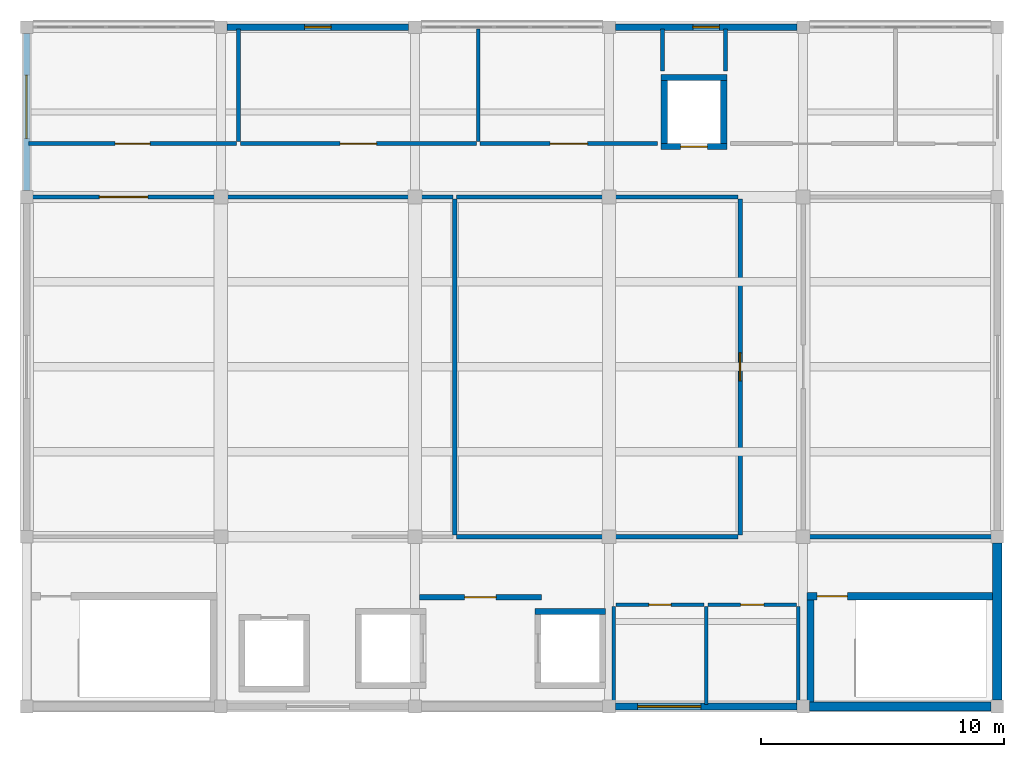
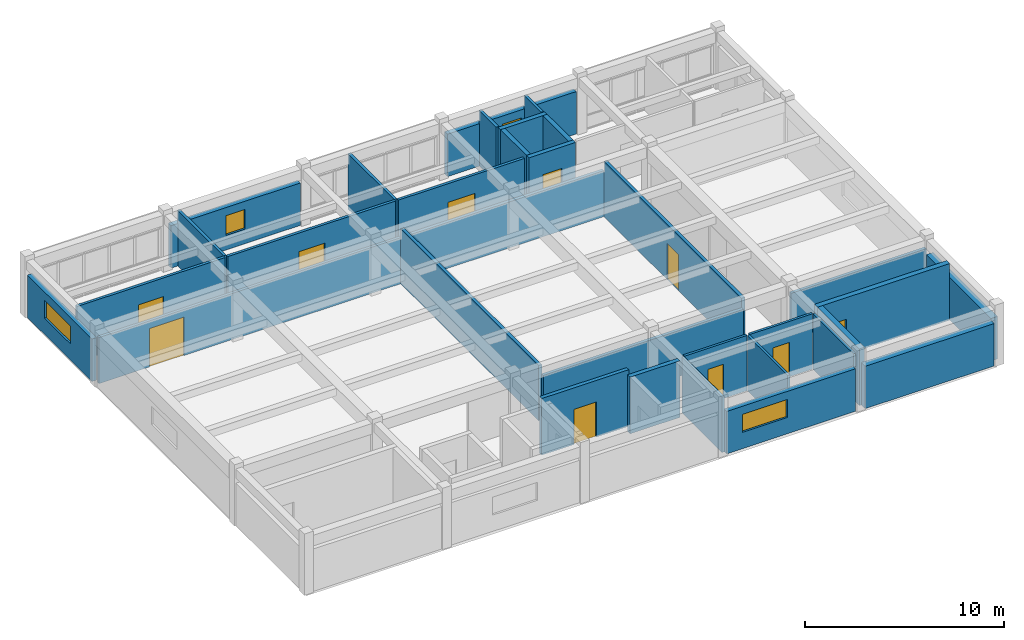
# One storey, part 5 of 7: 32 walls, 10 doors, 4 windows, 14 openings.
"""IFC4 building model written with IfcOpenShell, lengths in metres."""

from ifc_helpers import new_model, si_unit, direction, frame, frame_2d, origin, place, context, subcontext, project, spatial, rectangle, extrude, material, layer, layer_set, type_object, element, fill, save


model = new_model("IFC4")

# Units and contexts
model_context = context("Model", 3, precision=1e-05, world=origin(), true_north=direction((0.0, 1.0)))
body_context = subcontext(model_context, "Body", "Model", "MODEL_VIEW")
ifc_project = project(units=[si_unit("LENGTHUNIT", "METRE"), si_unit("AREAUNIT", "SQUARE_METRE"), si_unit("VOLUMEUNIT", "CUBIC_METRE"), si_unit("PLANEANGLEUNIT", "RADIAN"), si_unit("MASSUNIT", "GRAM", prefix="KILO")], contexts=[model_context])

# Site, building, storey
site_placement = place(None, origin())
site = spatial("IfcSite", under=ifc_project, at=site_placement, CompositionType="ELEMENT")
building_placement = place(site_placement, origin())
building = spatial("IfcBuilding", under=site, at=building_placement, Name="Naurynzar Civic Courthouse", CompositionType="ELEMENT")
storey_placement = place(building_placement, frame((0.0, 0.0, 37.050048828125)))
storey = spatial("IfcBuildingStorey", under=building, at=storey_placement, Name="L10", CompositionType="ELEMENT", Elevation=37.050048828125)

# Wall, opening, door
ifc_material_1 = material(Name="Acoustic Double-Stud Gypsum Partition")
ifc_layer_1 = layer(ifc_material_1, 0.155029296875)
ifc_layer_set_1 = layer_set([ifc_layer_1], Name="WL-ACOUSTIC-155")
wall_type_1 = type_object("IfcWallType", Name="WL-ACOUSTIC-155", PredefinedType="PARTITIONING", material=ifc_layer_set_1)
wall_1_placement = place(storey_placement, frame((69.080078125, 65.0, 0.0), z_axis=(0.0, 0.0, 1.0), x_axis=(1.0, 0.0, 0.0)))
wall_1 = element("IfcWall", 1, at=wall_1_placement, inside=storey, type_object=wall_type_1, Name="V2 interior partition L10.841", PredefinedType="PARTITIONING", context=body_context, shape_type="SweptSolid", body=[
    extrude(rectangle(XDim=17.47998046875, YDim=0.155029296875, at=frame_2d((8.739990234375, 0.0))), origin(), (0.0, 0.0, 1.0), 2.820068359375),
])
opening_1_placement = place(wall_1_placement, frame((2.916015625, 0.0, 0.0)))
opening_1 = element("IfcOpeningElement", 2, at=opening_1_placement, cuts=wall_1, Name="Opening D-211", PredefinedType="OPENING", context=body_context, shape_type="SweptSolid", body=[
    extrude(rectangle(XDim=2.0, YDim=2.35009765625, at=frame_2d((1.0, 1.175048828125))), frame((0.0, 0.08740234375, 0.0), z_axis=(0.0, -1.0, 0.0), x_axis=(1.0, 0.0, 0.0)), (0.0, 0.0, 1.0), 0.175048828125),
])
ifc_material_2 = material(Name="Acoustic Oak Timber Grade A", Category="wood")
door_type_1 = type_object("IfcDoorType", Name="DR-COURT-DBL-2000x2350", OperationType="DOUBLE_DOOR_SINGLE_SWING", PredefinedType="DOOR", material=ifc_material_2)
door_1_placement = place(opening_1_placement, origin())
door_1 = element("IfcDoor", 3, at=door_1_placement, inside=storey, type_object=door_type_1, Name="Interior door D-211 (Judicial Council Plenary Hall)", OperationType="DOUBLE_DOOR_SINGLE_SWING", OverallHeight=2.35009765625, OverallWidth=2.0, PredefinedType="DOOR", context=body_context, shape_type="SweptSolid", body=[
    extrude(rectangle(XDim=2.0, YDim=2.35009765625, at=frame_2d((1.0, 1.175048828125))), frame((0.0, 0.02490234375, 0.0), z_axis=(0.0, -1.0, 0.0), x_axis=(1.0, 0.0, 0.0)), (0.0, 0.0, 1.0), 0.050048828125),
])
fill(opening_1, door_1)

# Wall
ifc_material_3 = material(Name="Acoustic Double-Stud Gypsum Partition")
ifc_layer_2 = layer(ifc_material_3, 0.169921875)
ifc_layer_set_2 = layer_set([ifc_layer_2], Name="WL-ACOUSTIC-170")
wall_type_2 = type_object("IfcWallType", Name="WL-ACOUSTIC-170", PredefinedType="PARTITIONING", material=ifc_layer_set_2)
wall_2_placement = place(storey_placement, frame((101.080078125, 51.0, 0.0), z_axis=(0.0, 0.0, 1.0), x_axis=(1.0, 0.0, 0.0)))
element("IfcWall", 4, at=wall_2_placement, inside=storey, type_object=wall_type_2, Name="V2 interior partition L10.840", PredefinedType="PARTITIONING", context=body_context, shape_type="SweptSolid", body=[
    extrude(rectangle(XDim=7.83984375, YDim=0.169921875, at=frame_2d((3.919921875, 0.0))), origin(), (0.0, 0.0, 1.0), 2.820068359375),
])

# Wall, opening, door
ifc_material_4 = material(Name="Concrete C40/50", Category="concrete")
ifc_layer_3 = layer(ifc_material_4, 0.300048828125)
ifc_layer_set_3 = layer_set([ifc_layer_3], Name="WL-CORE-300")
wall_type_3 = type_object("IfcWallType", Name="WL-CORE-300", PredefinedType="SHEAR", material=ifc_layer_set_3)
wall_3_placement = place(storey_placement, frame((108.804931640625, 48.550048828125, 0.0), z_axis=(0.0, 0.0, 1.0), x_axis=(-1.0, 0.0, 0.0)))
wall_3 = element("IfcWall", 5, at=wall_3_placement, inside=storey, type_object=wall_type_3, Name="Stair ST-V2B enclosure wall north L10", PredefinedType="SHEAR", context=body_context, shape_type="SweptSolid", body=[
    extrude(rectangle(XDim=7.655029296875, YDim=0.300048828125, at=frame_2d((3.82763671875, 0.0))), origin(), (0.0, 0.0, 1.0), 3.469970703125),
])
opening_2_placement = place(wall_3_placement, frame((5.97998046875, 0.0, 0.0)))
opening_2 = element("IfcOpeningElement", 6, at=opening_2_placement, cuts=wall_3, Name="Opening SD-044", PredefinedType="OPENING", context=body_context, shape_type="SweptSolid", body=[
    extrude(rectangle(XDim=1.25, YDim=2.14990234375, at=frame_2d((0.625, 1.074951171875))), frame((0.0, 0.159912109375, 0.0), z_axis=(0.0, -1.0, 0.0), x_axis=(1.0, 0.0, 0.0)), (0.0, 0.0, 1.0), 0.320068359375),
])
ifc_material_5 = material(Name="Powder-Coated Galvanised Steel", Category="steel")
door_type_2 = type_object("IfcDoorType", Name="DR-STAIR-1250x2150", OperationType="NOTDEFINED", PredefinedType="DOOR", material=ifc_material_5)
door_2_placement = place(opening_2_placement, origin())
door_2 = element("IfcDoor", 7, at=door_2_placement, inside=storey, type_object=door_type_2, Name="Stair ST-V2B fire door L10", OperationType="SINGLE_SWING_RIGHT", OverallHeight=2.14990234375, OverallWidth=1.25, PredefinedType="DOOR", context=body_context, shape_type="SweptSolid", body=[
    extrude(rectangle(XDim=1.25, YDim=2.14990234375, at=frame_2d((0.625, 1.074951171875))), frame((0.0, 0.02490234375, 0.0), z_axis=(0.0, -1.0, 0.0), x_axis=(1.0, 0.0, 0.0)), (0.0, 0.0, 1.0), 0.050048828125),
])
fill(opening_2, door_2)

# Wall
wall_4_placement = place(storey_placement, frame((101.300048828125, 48.39501953125, 0.0), z_axis=(0.0, 0.0, 1.0), x_axis=(0.0, -1.0, 0.0)))
element("IfcWall", 8, at=wall_4_placement, inside=storey, type_object=wall_type_3, Name="Stair ST-V2B enclosure wall west L10", PredefinedType="SHEAR", context=body_context, shape_type="SweptSolid", body=[
    extrude(rectangle(XDim=4.199951171875, YDim=0.300048828125, at=frame_2d((2.10009765625, 0.0))), origin(), (0.0, 0.0, 1.0), 3.469970703125),
])

# Wall, opening, window
ifc_material_6 = material(Name="Precast concrete C40/50", Category="concrete")
ifc_layer_4 = layer(ifc_material_6, 0.280029296875)
ifc_layer_set_4 = layer_set([ifc_layer_4], Name="WL-EXT-280")
wall_type_4 = type_object("IfcWallType", Name="WL-EXT-280", PredefinedType="SOLIDWALL", material=ifc_layer_set_4)
wall_5_placement = place(storey_placement, frame((69.0, 65.262451171875, 0.0), z_axis=(0.0, 0.0, 1.0), x_axis=(0.0, 1.0, 0.0)))
wall_5 = element("IfcWall", 9, at=wall_5_placement, inside=storey, type_object=wall_type_4, Name="V2 exterior wall west L10.3.1", PredefinedType="SOLIDWALL", context=body_context, shape_type="SweptSolid", body=[
    extrude(rectangle(XDim=6.47509765625, YDim=0.280029296875, at=frame_2d((3.237548828125, 0.0))), origin(), (0.0, 0.0, 1.0), 2.599853515625),
])
opening_3_placement = place(wall_5_placement, frame((2.157958984375, 0.0, 1.0)))
opening_3 = element("IfcOpeningElement", 10, at=opening_3_placement, cuts=wall_5, Name="Opening WN-17", PredefinedType="OPENING", context=body_context, shape_type="SweptSolid", body=[
    extrude(rectangle(XDim=2.60009765625, YDim=1.10009765625, at=frame_2d((1.300048828125, 0.550048828125))), frame((0.0, 0.14990234375, 0.0), z_axis=(0.0, -1.0, 0.0), x_axis=(1.0, 0.0, 0.0)), (0.0, 0.0, 1.0), 0.300048828125),
])
ifc_material_7 = material(Name="Tempered Laminated Low-E Glass", Category="glass")
window_type_1 = type_object("IfcWindowType", Name="WIN-CLER-2600x1100", PartitioningType="DOUBLE_PANEL_VERTICAL", PredefinedType="WINDOW", material=ifc_material_7)
window_1_placement = place(opening_3_placement, origin())
window_1 = element("IfcWindow", 11, at=window_1_placement, inside=storey, type_object=window_type_1, Name="V2 window 133 L10", OverallHeight=1.10009765625, OverallWidth=2.60009765625, PartitioningType="SINGLE_PANEL", PredefinedType="WINDOW", context=body_context, shape_type="SweptSolid", body=[
    extrude(rectangle(XDim=2.60009765625, YDim=1.10009765625, at=frame_2d((1.300048828125, 0.550048828125))), frame((0.0, 0.030029296875, 0.0), z_axis=(0.0, -1.0, 0.0), x_axis=(1.0, 0.0, 0.0)), (0.0, 0.0, 1.0), 0.06005859375),
])
fill(opening_3, window_1)

wall_6_placement = place(storey_placement, frame((77.262451171875, 72.0, 0.0), z_axis=(0.0, 0.0, 1.0), x_axis=(1.0, 0.0, 0.0)))
wall_6 = element("IfcWall", 12, at=wall_6_placement, inside=storey, type_object=wall_type_4, Name="V2 exterior wall north L10.2.1", PredefinedType="SOLIDWALL", context=body_context, shape_type="SweptSolid", body=[
    extrude(rectangle(XDim=7.47509765625, YDim=0.280029296875, at=frame_2d((3.737548828125, 0.0))), origin(), (0.0, 0.0, 1.0), 2.599853515625),
])
opening_4_placement = place(wall_6_placement, frame((3.1875, 0.0, 0.89990234375)))
opening_4 = element("IfcOpeningElement", 13, at=opening_4_placement, cuts=wall_6, Name="Opening WN-15", PredefinedType="OPENING", context=body_context, shape_type="SweptSolid", body=[
    extrude(rectangle(XDim=1.10009765625, YDim=1.199951171875, at=frame_2d((0.550048828125, 0.60009765625))), frame((0.0, 0.14990234375, 0.0), z_axis=(0.0, -1.0, 0.0), x_axis=(1.0, 0.0, 0.0)), (0.0, 0.0, 1.0), 0.300048828125),
])
ifc_material_8 = material(Name="Tempered Laminated Low-E Glass", Category="glass")
window_type_2 = type_object("IfcWindowType", Name="WIN-SEC-1100x1200", PartitioningType="SINGLE_PANEL", PredefinedType="WINDOW", material=ifc_material_8)
window_2_placement = place(opening_4_placement, origin())
window_2 = element("IfcWindow", 14, at=window_2_placement, inside=storey, type_object=window_type_2, Name="V2 window 134 L10", OverallHeight=1.199951171875, OverallWidth=1.10009765625, PartitioningType="SINGLE_PANEL", PredefinedType="WINDOW", context=body_context, shape_type="SweptSolid", body=[
    extrude(rectangle(XDim=1.10009765625, YDim=1.199951171875, at=frame_2d((0.550048828125, 0.60009765625))), frame((0.0, 0.030029296875, 0.0), z_axis=(0.0, -1.0, 0.0), x_axis=(1.0, 0.0, 0.0)), (0.0, 0.0, 1.0), 0.06005859375),
])
fill(opening_4, window_2)

wall_7_placement = place(storey_placement, frame((93.262451171875, 72.0, 0.0), z_axis=(0.0, 0.0, 1.0), x_axis=(1.0, 0.0, 0.0)))
wall_7 = element("IfcWall", 15, at=wall_7_placement, inside=storey, type_object=wall_type_4, Name="V2 exterior wall north L10.4.1", PredefinedType="SOLIDWALL", context=body_context, shape_type="SweptSolid", body=[
    extrude(rectangle(XDim=7.47509765625, YDim=0.280029296875, at=frame_2d((3.737548828125, 0.0))), origin(), (0.0, 0.0, 1.0), 2.599853515625),
])
opening_5_placement = place(wall_7_placement, frame((3.1875, 0.0, 0.89990234375)))
opening_5 = element("IfcOpeningElement", 16, at=opening_5_placement, cuts=wall_7, Name="Opening WN-15", PredefinedType="OPENING", context=body_context, shape_type="SweptSolid", body=[
    extrude(rectangle(XDim=1.10009765625, YDim=1.199951171875, at=frame_2d((0.550048828125, 0.60009765625))), frame((0.0, 0.14990234375, 0.0), z_axis=(0.0, -1.0, 0.0), x_axis=(1.0, 0.0, 0.0)), (0.0, 0.0, 1.0), 0.300048828125),
])
window_3_placement = place(opening_5_placement, origin())
window_3 = element("IfcWindow", 17, at=window_3_placement, inside=storey, type_object=window_type_2, Name="V2 window 135 L10", OverallHeight=1.199951171875, OverallWidth=1.10009765625, PartitioningType="SINGLE_PANEL", PredefinedType="WINDOW", context=body_context, shape_type="SweptSolid", body=[
    extrude(rectangle(XDim=1.10009765625, YDim=1.199951171875, at=frame_2d((0.550048828125, 0.60009765625))), frame((0.0, 0.030029296875, 0.0), z_axis=(0.0, -1.0, 0.0), x_axis=(1.0, 0.0, 0.0)), (0.0, 0.0, 1.0), 0.06005859375),
])
fill(opening_5, window_3)

wall_8_placement = place(storey_placement, frame((100.737548828125, 44.0, 0.0), z_axis=(0.0, 0.0, 1.0), x_axis=(-1.0, 0.0, 0.0)))
wall_8 = element("IfcWall", 18, at=wall_8_placement, inside=storey, type_object=wall_type_4, Name="V2 exterior wall south L10.2.1", PredefinedType="SOLIDWALL", context=body_context, shape_type="SweptSolid", body=[
    extrude(rectangle(XDim=7.47509765625, YDim=0.280029296875, at=frame_2d((3.737548828125, 0.0))), origin(), (0.0, 0.0, 1.0), 2.599853515625),
])
opening_6_placement = place(wall_8_placement, frame((3.95703125, 0.0, 1.0)))
opening_6 = element("IfcOpeningElement", 19, at=opening_6_placement, cuts=wall_8, Name="Opening WN-17", PredefinedType="OPENING", context=body_context, shape_type="SweptSolid", body=[
    extrude(rectangle(XDim=2.60009765625, YDim=1.10009765625, at=frame_2d((1.300048828125, 0.550048828125))), frame((0.0, 0.14990234375, 0.0), z_axis=(0.0, -1.0, 0.0), x_axis=(1.0, 0.0, 0.0)), (0.0, 0.0, 1.0), 0.300048828125),
])
window_4_placement = place(opening_6_placement, origin())
window_4 = element("IfcWindow", 20, at=window_4_placement, inside=storey, type_object=window_type_1, Name="V2 window 138 L10", OverallHeight=1.10009765625, OverallWidth=2.60009765625, PartitioningType="SINGLE_PANEL", PredefinedType="WINDOW", context=body_context, shape_type="SweptSolid", body=[
    extrude(rectangle(XDim=2.60009765625, YDim=1.10009765625, at=frame_2d((1.300048828125, 0.550048828125))), frame((0.0, 0.030029296875, 0.0), z_axis=(0.0, -1.0, 0.0), x_axis=(1.0, 0.0, 0.0)), (0.0, 0.0, 1.0), 0.06005859375),
])
fill(opening_6, window_4)

# Wall, opening, door
ifc_material_9 = material(Name="Concrete C35/45", Category="concrete")
ifc_layer_5 = layer(ifc_material_9, 0.219970703125)
ifc_layer_set_5 = layer_set([ifc_layer_5], Name="WL-FFL-220")
wall_type_5 = type_object("IfcWallType", Name="WL-FFL-220", PredefinedType="SOLIDWALL", material=ifc_layer_set_5)
wall_9_placement = place(storey_placement, frame((85.179931640625, 48.510009765625, 0.0), z_axis=(0.0, 0.0, 1.0), x_axis=(1.0, 0.0, 0.0)))
wall_9 = element("IfcWall", 21, at=wall_9_placement, inside=storey, type_object=wall_type_5, Name="Firefighting lift lobby EI 120 wall CORE-V2 L10 north", PredefinedType="SOLIDWALL", context=body_context, shape_type="SweptSolid", body=[
    extrude(rectangle(XDim=5.0400390625, YDim=0.219970703125, at=frame_2d((2.52001953125, 0.0))), origin(), (0.0, 0.0, 1.0), 3.469970703125),
])
opening_7_placement = place(wall_9_placement, frame((1.8701171875, 0.0, 0.0)))
opening_7 = element("IfcOpeningElement", 22, at=opening_7_placement, cuts=wall_9, Name="Opening FD-11", PredefinedType="OPENING", context=body_context, shape_type="SweptSolid", body=[
    extrude(rectangle(XDim=1.300048828125, YDim=2.14990234375, at=frame_2d((0.64990234375, 1.074951171875))), frame((0.0, 0.119873046875, 0.0), z_axis=(0.0, -1.0, 0.0), x_axis=(1.0, 0.0, 0.0)), (0.0, 0.0, 1.0), 0.239990234375),
])
ifc_material_10 = material(Name="Powder-Coated Galvanised Steel", Category="steel")
door_type_3 = type_object("IfcDoorType", Name="DR-FFL-1300x2150", OperationType="NOTDEFINED", PredefinedType="DOOR", material=ifc_material_10)
door_3_placement = place(opening_7_placement, origin())
door_3 = element("IfcDoor", 23, at=door_3_placement, inside=storey, type_object=door_type_3, Name="Firefighting lift lobby door FD-11", OperationType="SINGLE_SWING_LEFT", OverallHeight=2.14990234375, OverallWidth=1.300048828125, PredefinedType="DOOR", context=body_context, shape_type="SweptSolid", body=[
    extrude(rectangle(XDim=1.300048828125, YDim=2.14990234375, at=frame_2d((0.64990234375, 1.074951171875))), frame((0.0, 0.02490234375, 0.0), z_axis=(0.0, -1.0, 0.0), x_axis=(1.0, 0.0, 0.0)), (0.0, 0.0, 1.0), 0.050048828125),
])
fill(opening_7, door_3)

ifc_material_11 = material(Name="Insulated Metal-Stud Gypsum Partition")
ifc_layer_6 = layer(ifc_material_11, 0.159912109375)
ifc_layer_set_6 = layer_set([ifc_layer_6], Name="WL-PART-CHAMB-160")
wall_type_6 = type_object("IfcWallType", Name="WL-PART-CHAMB-160", PredefinedType="PARTITIONING", material=ifc_layer_set_6)
wall_10_placement = place(storey_placement, frame((69.080078125, 67.199951171875, 0.0), z_axis=(0.0, 0.0, 1.0), x_axis=(1.0, 0.0, 0.0)))
wall_10 = element("IfcWall", 24, at=wall_10_placement, inside=storey, type_object=wall_type_6, Name="V2 interior partition L10.844", PredefinedType="PARTITIONING", context=body_context, shape_type="SweptSolid", body=[
    extrude(rectangle(XDim=8.56982421875, YDim=0.159912109375, at=frame_2d((4.284912109375, 0.0))), origin(), (0.0, 0.0, 1.0), 3.389892578125),
])
opening_8_placement = place(wall_10_placement, frame((3.56005859375, 0.0, 0.0)))
opening_8 = element("IfcOpeningElement", 25, at=opening_8_placement, cuts=wall_10, Name="Opening D-214", PredefinedType="OPENING", context=body_context, shape_type="SweptSolid", body=[
    extrude(rectangle(XDim=1.449951171875, YDim=2.25, at=frame_2d((0.72509765625, 1.125))), frame((0.0, 0.08984375, 0.0), z_axis=(0.0, -1.0, 0.0), x_axis=(1.0, 0.0, 0.0)), (0.0, 0.0, 1.0), 0.179931640625),
])
ifc_material_12 = material(Name="Acoustic Oak Timber Grade A", Category="wood")
door_type_4 = type_object("IfcDoorType", Name="DR-SUITE-1450x2250", OperationType="NOTDEFINED", PredefinedType="DOOR", material=ifc_material_12)
door_4_placement = place(opening_8_placement, origin())
door_4 = element("IfcDoor", 26, at=door_4_placement, inside=storey, type_object=door_type_4, Name="Interior door D-214 (Judges' Chambers L10-1)", OperationType="SINGLE_SWING_RIGHT", OverallHeight=2.25, OverallWidth=1.449951171875, PredefinedType="DOOR", context=body_context, shape_type="SweptSolid", body=[
    extrude(rectangle(XDim=1.449951171875, YDim=2.25, at=frame_2d((0.72509765625, 1.125))), frame((0.0, 0.02490234375, 0.0), z_axis=(0.0, -1.0, 0.0), x_axis=(1.0, 0.0, 0.0)), (0.0, 0.0, 1.0), 0.050048828125),
])
fill(opening_8, door_4)

wall_11_placement = place(storey_placement, frame((77.81005859375, 67.199951171875, 0.0), z_axis=(0.0, 0.0, 1.0), x_axis=(1.0, 0.0, 0.0)))
wall_11 = element("IfcWall", 27, at=wall_11_placement, inside=storey, type_object=wall_type_6, Name="V2 interior partition L10.845", PredefinedType="PARTITIONING", context=body_context, shape_type="SweptSolid", body=[
    extrude(rectangle(XDim=9.719970703125, YDim=0.159912109375, at=frame_2d((4.85986328125, 0.0))), origin(), (0.0, 0.0, 1.0), 3.389892578125),
])
opening_9_placement = place(wall_11_placement, frame((4.110107421875, 0.0, 0.0)))
opening_9 = element("IfcOpeningElement", 28, at=opening_9_placement, cuts=wall_11, Name="Opening D-215", PredefinedType="OPENING", context=body_context, shape_type="SweptSolid", body=[
    extrude(rectangle(XDim=1.5, YDim=2.25, at=frame_2d((0.75, 1.125))), frame((0.0, 0.08984375, 0.0), z_axis=(0.0, -1.0, 0.0), x_axis=(1.0, 0.0, 0.0)), (0.0, 0.0, 1.0), 0.179931640625),
])
ifc_material_13 = material(Name="Acoustic Oak Timber Grade A", Category="wood")
door_type_5 = type_object("IfcDoorType", Name="DR-SUITE-1500x2250", OperationType="NOTDEFINED", PredefinedType="DOOR", material=ifc_material_13)
door_5_placement = place(opening_9_placement, origin())
door_5 = element("IfcDoor", 29, at=door_5_placement, inside=storey, type_object=door_type_5, Name="Interior door D-215 (Judges' Chambers L10-2)", OperationType="SINGLE_SWING_LEFT", OverallHeight=2.25, OverallWidth=1.5, PredefinedType="DOOR", context=body_context, shape_type="SweptSolid", body=[
    extrude(rectangle(XDim=1.5, YDim=2.25, at=frame_2d((0.75, 1.125))), frame((0.0, 0.02490234375, 0.0), z_axis=(0.0, -1.0, 0.0), x_axis=(1.0, 0.0, 0.0)), (0.0, 0.0, 1.0), 0.050048828125),
])
fill(opening_9, door_5)

wall_12_placement = place(storey_placement, frame((87.68994140625, 67.199951171875, 0.0), z_axis=(0.0, 0.0, 1.0), x_axis=(1.0, 0.0, 0.0)))
wall_12 = element("IfcWall", 30, at=wall_12_placement, inside=storey, type_object=wall_type_6, Name="V2 interior partition L10.846", PredefinedType="PARTITIONING", context=body_context, shape_type="SweptSolid", body=[
    extrude(rectangle(XDim=7.31005859375, YDim=0.159912109375, at=frame_2d((3.655029296875, 0.0))), origin(), (0.0, 0.0, 1.0), 3.389892578125),
])
opening_10_placement = place(wall_12_placement, frame((2.8798828125, 0.0, 0.0)))
opening_10 = element("IfcOpeningElement", 31, at=opening_10_placement, cuts=wall_12, Name="Opening D-216", PredefinedType="OPENING", context=body_context, shape_type="SweptSolid", body=[
    extrude(rectangle(XDim=1.550048828125, YDim=2.25, at=frame_2d((0.77490234375, 1.125))), frame((0.0, 0.08984375, 0.0), z_axis=(0.0, -1.0, 0.0), x_axis=(1.0, 0.0, 0.0)), (0.0, 0.0, 1.0), 0.179931640625),
])
ifc_material_14 = material(Name="Acoustic Oak Timber Grade A", Category="wood")
door_type_6 = type_object("IfcDoorType", Name="DR-SUITE-1550x2250", OperationType="DOUBLE_DOOR_SINGLE_SWING", PredefinedType="DOOR", material=ifc_material_14)
door_6_placement = place(opening_10_placement, origin())
door_6 = element("IfcDoor", 32, at=door_6_placement, inside=storey, type_object=door_type_6, Name="Interior door D-216 (Judges' Chambers L10-3)", OperationType="DOUBLE_DOOR_SINGLE_SWING", OverallHeight=2.25, OverallWidth=1.550048828125, PredefinedType="DOOR", context=body_context, shape_type="SweptSolid", body=[
    extrude(rectangle(XDim=1.550048828125, YDim=2.25, at=frame_2d((0.77490234375, 1.125))), frame((0.0, 0.02490234375, 0.0), z_axis=(0.0, -1.0, 0.0), x_axis=(1.0, 0.0, 0.0)), (0.0, 0.0, 1.0), 0.050048828125),
])
fill(opening_10, door_6)

# Walls
for number, where, z_axis, x_axis, name in (
    (33, (77.72998046875, 67.280029296875, 0.0), (0.0, 0.0, 1.0), (0.0, 1.0, 0.0), "V2 interior partition L10.849"),
    (34, (87.610107421875, 67.280029296875, 0.0), (0.0, 0.0, 1.0), (0.0, 1.0, 0.0), "V2 interior partition L10.851"),
):
    element("IfcWall", number, at=place(storey_placement, frame(where, z_axis=z_axis, x_axis=x_axis)), inside=storey, type_object=wall_type_6, Name=name, PredefinedType="PARTITIONING", context=body_context, shape_type="SweptSolid", body=[
        extrude(rectangle(XDim=4.639892578125, YDim=0.159912109375, at=frame_2d((2.31982421875, 0.0))), origin(), (0.0, 0.0, 1.0), 3.389892578125),
    ])
for number, where, z_axis, x_axis, name in (
    (35, (95.199951171875, 70.199951171875, 0.0), (0.0, 0.0, 1.0), (0.0, 1.0, 0.0), "V2 interior partition L10.853"),
    (36, (97.800048828125, 70.199951171875, 0.0), (0.0, 0.0, 1.0), (0.0, 1.0, 0.0), "V2 interior partition L10.855"),
):
    element("IfcWall", number, at=place(storey_placement, frame(where, z_axis=z_axis, x_axis=x_axis)), inside=storey, type_object=wall_type_6, Name=name, PredefinedType="PARTITIONING", context=body_context, shape_type="SweptSolid", body=[
        extrude(rectangle(XDim=1.719970703125, YDim=0.159912109375, at=frame_2d((0.85986328125, 0.0))), origin(), (0.0, 0.0, 1.0), 3.389892578125),
    ])
ifc_material_15 = material(Name="Acoustic Double-Stud Gypsum Partition")
ifc_layer_7 = layer(ifc_material_15, 0.179931640625)
ifc_layer_set_7 = layer_set([ifc_layer_7], Name="WL-PART-JURY-180")
wall_type_7 = type_object("IfcWallType", Name="WL-PART-JURY-180", PredefinedType="PARTITIONING", material=ifc_layer_set_7)
for number, where, z_axis, x_axis, name in (
    (37, (86.719970703125, 51.0, 0.0), (0.0, 0.0, 1.0), (1.0, 0.0, 0.0), "V2 interior partition L10.839"),
    (38, (86.719970703125, 65.0, 0.0), (0.0, 0.0, 1.0), (1.0, 0.0, 0.0), "V2 interior partition L10.842"),
):
    element("IfcWall", number, at=place(storey_placement, frame(where, z_axis=z_axis, x_axis=x_axis)), inside=storey, type_object=wall_type_7, Name=name, PredefinedType="PARTITIONING", context=body_context, shape_type="SweptSolid", body=[
        extrude(rectangle(XDim=11.60009765625, YDim=0.179931640625, at=frame_2d((5.800048828125, 0.0))), origin(), (0.0, 0.0, 1.0), 2.820068359375),
    ])
wall_13_placement = place(storey_placement, frame((86.639892578125, 51.080078125, 0.0), z_axis=(0.0, 0.0, 1.0), x_axis=(0.0, 1.0, 0.0)))
element("IfcWall", 39, at=wall_13_placement, inside=storey, type_object=wall_type_7, Name="V2 interior partition L10.850", PredefinedType="PARTITIONING", context=body_context, shape_type="SweptSolid", body=[
    extrude(rectangle(XDim=13.83984375, YDim=0.179931640625, at=frame_2d((6.919921875, 0.0))), origin(), (0.0, 0.0, 1.0), 3.389892578125),
])

# Wall, opening, door
wall_14_placement = place(storey_placement, frame((98.39990234375, 51.080078125, 0.0), z_axis=(0.0, 0.0, 1.0), x_axis=(0.0, 1.0, 0.0)))
wall_14 = element("IfcWall", 40, at=wall_14_placement, inside=storey, type_object=wall_type_7, Name="V2 interior partition L10.856", PredefinedType="PARTITIONING", context=body_context, shape_type="SweptSolid", body=[
    extrude(rectangle(XDim=13.83984375, YDim=0.179931640625, at=frame_2d((6.919921875, 0.0))), origin(), (0.0, 0.0, 1.0), 3.389892578125),
])
opening_11_placement = place(wall_14_placement, frame((6.344970703125, 0.0, 0.0)))
opening_11 = element("IfcOpeningElement", 41, at=opening_11_placement, cuts=wall_14, Name="Opening D-212", PredefinedType="OPENING", context=body_context, shape_type="SweptSolid", body=[
    extrude(rectangle(XDim=1.14990234375, YDim=2.199951171875, at=frame_2d((0.574951171875, 1.10009765625))), frame((0.0, 0.099853515625, 0.0), z_axis=(0.0, -1.0, 0.0), x_axis=(1.0, 0.0, 0.0)), (0.0, 0.0, 1.0), 0.199951171875),
])
ifc_material_16 = material(Name="Acoustic Oak Timber Grade A", Category="wood")
door_type_7 = type_object("IfcDoorType", Name="DR-JURY-1150x2200", OperationType="NOTDEFINED", PredefinedType="DOOR", material=ifc_material_16)
door_7_placement = place(opening_11_placement, origin())
door_7 = element("IfcDoor", 42, at=door_7_placement, inside=storey, type_object=door_type_7, Name="Interior door D-212 (Judicial Ethics Deliberation Room)", OperationType="SINGLE_SWING_RIGHT", OverallHeight=2.199951171875, OverallWidth=1.14990234375, PredefinedType="DOOR", context=body_context, shape_type="SweptSolid", body=[
    extrude(rectangle(XDim=1.14990234375, YDim=2.199951171875, at=frame_2d((0.574951171875, 1.10009765625))), frame((0.0, 0.02490234375, 0.0), z_axis=(0.0, -1.0, 0.0), x_axis=(1.0, 0.0, 0.0)), (0.0, 0.0, 1.0), 0.050048828125),
])
fill(opening_11, door_7)

ifc_material_17 = material(Name="Moisture-Resistant Plumbing Partition")
ifc_layer_8 = layer(ifc_material_17, 0.139892578125)
ifc_layer_set_8 = layer_set([ifc_layer_8], Name="WL-PART-WC-140")
wall_type_8 = type_object("IfcWallType", Name="WL-PART-WC-140", PredefinedType="PLUMBINGWALL", material=ifc_layer_set_8)
wall_15_placement = place(storey_placement, frame((93.280029296875, 48.199951171875, 0.0), z_axis=(0.0, 0.0, 1.0), x_axis=(1.0, 0.0, 0.0)))
wall_15 = element("IfcWall", 43, at=wall_15_placement, inside=storey, type_object=wall_type_8, Name="V2 interior partition L10.835", PredefinedType="PLUMBINGWALL", context=body_context, shape_type="SweptSolid", body=[
    extrude(rectangle(XDim=3.639892578125, YDim=0.139892578125, at=frame_2d((1.81982421875, 0.0))), origin(), (0.0, 0.0, 1.0), 3.389892578125),
])
opening_12_placement = place(wall_15_placement, frame((1.360107421875, 0.0, 0.0)))
opening_12 = element("IfcOpeningElement", 44, at=opening_12_placement, cuts=wall_15, Name="Opening D-209", PredefinedType="OPENING", context=body_context, shape_type="SweptSolid", body=[
    extrude(rectangle(XDim=0.919921875, YDim=2.10009765625, at=frame_2d((0.4599609375, 1.050048828125))), frame((0.0, 0.079833984375, 0.0), z_axis=(0.0, -1.0, 0.0), x_axis=(1.0, 0.0, 0.0)), (0.0, 0.0, 1.0), 0.159912109375),
])
ifc_material_18 = material(Name="Acoustic Oak Timber Grade A", Category="wood")
door_type_8 = type_object("IfcDoorType", Name="DR-WC-STD-920x2100", OperationType="NOTDEFINED", PredefinedType="DOOR", material=ifc_material_18)
door_8_placement = place(opening_12_placement, origin())
door_8 = element("IfcDoor", 45, at=door_8_placement, inside=storey, type_object=door_type_8, Name="Interior door D-209 (Public WC V2)", OperationType="SINGLE_SWING_LEFT", OverallHeight=2.10009765625, OverallWidth=0.919921875, PredefinedType="DOOR", context=body_context, shape_type="SweptSolid", body=[
    extrude(rectangle(XDim=0.919921875, YDim=2.10009765625, at=frame_2d((0.4599609375, 1.050048828125))), frame((0.0, 0.02490234375, 0.0), z_axis=(0.0, -1.0, 0.0), x_axis=(1.0, 0.0, 0.0)), (0.0, 0.0, 1.0), 0.050048828125),
])
fill(opening_12, door_8)

wall_16_placement = place(storey_placement, frame((97.080078125, 48.199951171875, 0.0), z_axis=(0.0, 0.0, 1.0), x_axis=(1.0, 0.0, 0.0)))
wall_16 = element("IfcWall", 46, at=wall_16_placement, inside=storey, type_object=wall_type_8, Name="V2 interior partition L10.836", PredefinedType="PLUMBINGWALL", context=body_context, shape_type="SweptSolid", body=[
    extrude(rectangle(XDim=3.639892578125, YDim=0.139892578125, at=frame_2d((1.81982421875, 0.0))), origin(), (0.0, 0.0, 1.0), 3.389892578125),
])
opening_13_placement = place(wall_16_placement, frame((1.340087890625, 0.0, 0.0)))
opening_13 = element("IfcOpeningElement", 47, at=opening_13_placement, cuts=wall_16, Name="Opening D-210", PredefinedType="OPENING", context=body_context, shape_type="SweptSolid", body=[
    extrude(rectangle(XDim=0.9599609375, YDim=2.10009765625, at=frame_2d((0.47998046875, 1.050048828125))), frame((0.0, 0.079833984375, 0.0), z_axis=(0.0, -1.0, 0.0), x_axis=(1.0, 0.0, 0.0)), (0.0, 0.0, 1.0), 0.159912109375),
])
ifc_material_19 = material(Name="Acoustic Oak Timber Grade A", Category="wood")
door_type_9 = type_object("IfcDoorType", Name="DR-WC-ACC-960x2100", OperationType="NOTDEFINED", PredefinedType="DOOR", material=ifc_material_19)
door_9_placement = place(opening_13_placement, origin())
door_9 = element("IfcDoor", 48, at=door_9_placement, inside=storey, type_object=door_type_9, Name="Interior door D-210 (Accessible WC V2)", OperationType="SINGLE_SWING_RIGHT", OverallHeight=2.10009765625, OverallWidth=0.9599609375, PredefinedType="DOOR", context=body_context, shape_type="SweptSolid", body=[
    extrude(rectangle(XDim=0.9599609375, YDim=2.10009765625, at=frame_2d((0.47998046875, 1.050048828125))), frame((0.0, 0.02490234375, 0.0), z_axis=(0.0, -1.0, 0.0), x_axis=(1.0, 0.0, 0.0)), (0.0, 0.0, 1.0), 0.050048828125),
])
fill(opening_13, door_9)

# Walls
for number, where, z_axis, x_axis, name in (
    (49, (93.199951171875, 44.080078125, 0.0), (0.0, 0.0, 1.0), (0.0, 1.0, 0.0), "V2 interior partition L10.852"),
    (50, (97.0, 44.080078125, 0.0), (0.0, 0.0, 1.0), (0.0, 1.0, 0.0), "V2 interior partition L10.854"),
    (51, (100.800048828125, 44.080078125, 0.0), (0.0, 0.0, 1.0), (0.0, 1.0, 0.0), "V2 interior partition L10.857"),
):
    element("IfcWall", number, at=place(storey_placement, frame(where, z_axis=z_axis, x_axis=x_axis)), inside=storey, type_object=wall_type_8, Name=name, PredefinedType="PLUMBINGWALL", context=body_context, shape_type="SweptSolid", body=[
        extrude(rectangle(XDim=4.0400390625, YDim=0.139892578125, at=frame_2d((2.02001953125, 0.0))), origin(), (0.0, 0.0, 1.0), 3.389892578125),
    ])
ifc_material_20 = material(Name="Concrete C40/50", Category="concrete")
ifc_layer_9 = layer(ifc_material_20, 0.3798828125)
ifc_layer_set_9 = layer_set([ifc_layer_9], Name="WL-RET-380")
wall_type_9 = type_object("IfcWallType", Name="WL-RET-380", PredefinedType="STANDARD", material=ifc_layer_set_9)
wall_17_placement = place(storey_placement, frame((109.0, 50.737548828125, 0.0), z_axis=(0.0, 0.0, 1.0), x_axis=(0.0, -1.0, 0.0)))
element("IfcWall", 52, at=wall_17_placement, inside=storey, type_object=wall_type_9, Name="V2 exterior wall east L10.3.1", PredefinedType="STANDARD", context=body_context, shape_type="SweptSolid", body=[
    extrude(rectangle(XDim=6.47509765625, YDim=0.3798828125, at=frame_2d((3.237548828125, 0.0))), origin(), (0.0, 0.0, 1.0), 2.599853515625),
])
wall_18_placement = place(storey_placement, frame((108.737548828125, 44.0, 0.0), z_axis=(0.0, 0.0, 1.0), x_axis=(-1.0, 0.0, 0.0)))
element("IfcWall", 53, at=wall_18_placement, inside=storey, type_object=wall_type_9, Name="V2 exterior wall south L10.1.1", PredefinedType="STANDARD", context=body_context, shape_type="SweptSolid", body=[
    extrude(rectangle(XDim=7.47509765625, YDim=0.3798828125, at=frame_2d((3.737548828125, 0.0))), origin(), (0.0, 0.0, 1.0), 2.599853515625),
])
ifc_material_21 = material(Name="Concrete C40/50", Category="concrete")
ifc_layer_10 = layer(ifc_material_21, 0.25)
ifc_layer_set_10 = layer_set([ifc_layer_10], Name="WL-SHAFT-250")
wall_type_10 = type_object("IfcWallType", Name="WL-SHAFT-250", PredefinedType="SHEAR", material=ifc_layer_set_10)
wall_19_placement = place(storey_placement, frame((92.85009765625, 47.925048828125, 0.0), z_axis=(0.0, 0.0, 1.0), x_axis=(-1.0, 0.0, 0.0)))
element("IfcWall", 54, at=wall_19_placement, inside=storey, type_object=wall_type_10, Name="Lift FL-01 shaft wall north L10", PredefinedType="SHEAR", context=body_context, shape_type="SweptSolid", body=[
    extrude(rectangle(XDim=2.900146484375, YDim=0.25, at=frame_2d((1.4501953125, 0.0))), origin(), (0.0, 0.0, 1.0), 3.469970703125),
])

# Wall, opening, door
wall_20_placement = place(storey_placement, frame((95.14990234375, 67.074951171875, 0.0), z_axis=(0.0, 0.0, 1.0), x_axis=(1.0, 0.0, 0.0)))
wall_20 = element("IfcWall", 55, at=wall_20_placement, inside=storey, type_object=wall_type_10, Name="Lift LJ-02 shaft wall south L10", PredefinedType="SHEAR", context=body_context, shape_type="SweptSolid", body=[
    extrude(rectangle(XDim=2.7001953125, YDim=0.25, at=frame_2d((1.35009765625, 0.0))), origin(), (0.0, 0.0, 1.0), 3.469970703125),
])
opening_14_placement = place(wall_20_placement, frame((0.800048828125, 0.0, 0.0)))
opening_14 = element("IfcOpeningElement", 56, at=opening_14_placement, cuts=wall_20, Name="Opening LD-060", PredefinedType="OPENING", context=body_context, shape_type="SweptSolid", body=[
    extrude(rectangle(XDim=1.10009765625, YDim=2.14990234375, at=frame_2d((0.550048828125, 1.074951171875))), frame((0.0, 0.135009765625, 0.0), z_axis=(0.0, -1.0, 0.0), x_axis=(1.0, 0.0, 0.0)), (0.0, 0.0, 1.0), 0.27001953125),
])
ifc_material_22 = material(Name="Brushed Stainless Steel 304", Category="steel")
door_type_10 = type_object("IfcDoorType", Name="DR-LIFT-SLIDE-1100x2150", OperationType="DOUBLE_DOOR_SLIDING", PredefinedType="DOOR", material=ifc_material_22)
door_10_placement = place(opening_14_placement, origin())
door_10 = element("IfcDoor", 57, at=door_10_placement, inside=storey, type_object=door_type_10, Name="Lift LJ-02 sliding landing door L10", OperationType="DOUBLE_DOOR_SLIDING", OverallHeight=2.14990234375, OverallWidth=1.10009765625, PredefinedType="DOOR", context=body_context, shape_type="SweptSolid", body=[
    extrude(rectangle(XDim=1.10009765625, YDim=2.14990234375, at=frame_2d((0.550048828125, 1.074951171875))), frame((0.0, 0.02490234375, 0.0), z_axis=(0.0, -1.0, 0.0), x_axis=(1.0, 0.0, 0.0)), (0.0, 0.0, 1.0), 0.050048828125),
])
fill(opening_14, door_10)

# Walls
wall_21_placement = place(storey_placement, frame((97.85009765625, 69.925048828125, 0.0), z_axis=(0.0, 0.0, 1.0), x_axis=(-1.0, 0.0, 0.0)))
element("IfcWall", 58, at=wall_21_placement, inside=storey, type_object=wall_type_10, Name="Lift LJ-02 shaft wall north L10", PredefinedType="SHEAR", context=body_context, shape_type="SweptSolid", body=[
    extrude(rectangle(XDim=2.7001953125, YDim=0.25, at=frame_2d((1.35009765625, 0.0))), origin(), (0.0, 0.0, 1.0), 3.469970703125),
])
for number, where, z_axis, x_axis, name in (
    (59, (95.27490234375, 69.794921875, 0.0), (0.0, 0.0, 1.0), (0.0, -1.0, 0.0), "Lift LJ-02 shaft wall west L10"),
    (60, (97.72509765625, 67.205078125, 0.0), (0.0, 0.0, 1.0), (0.0, 1.0, 0.0), "Lift LJ-02 shaft wall east L10"),
):
    element("IfcWall", number, at=place(storey_placement, frame(where, z_axis=z_axis, x_axis=x_axis)), inside=storey, type_object=wall_type_10, Name=name, PredefinedType="SHEAR", context=body_context, shape_type="SweptSolid", body=[
        extrude(rectangle(XDim=2.58984375, YDim=0.25, at=frame_2d((1.294921875, 0.0))), origin(), (0.0, 0.0, 1.0), 3.469970703125),
    ])

save(model, "model.ifc")
